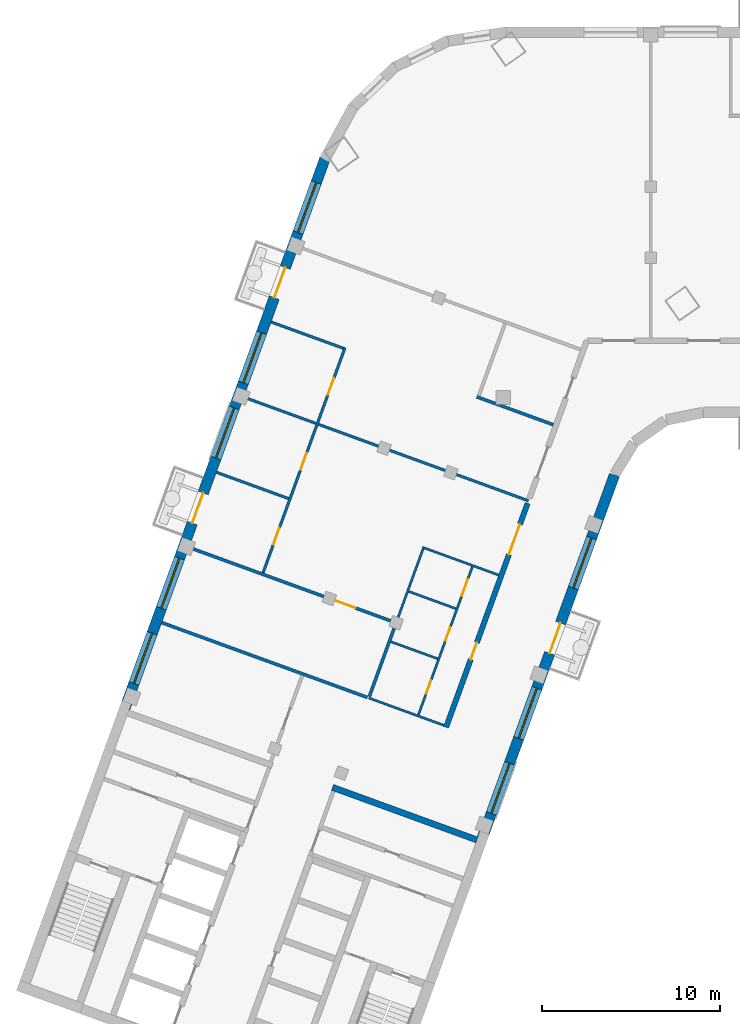
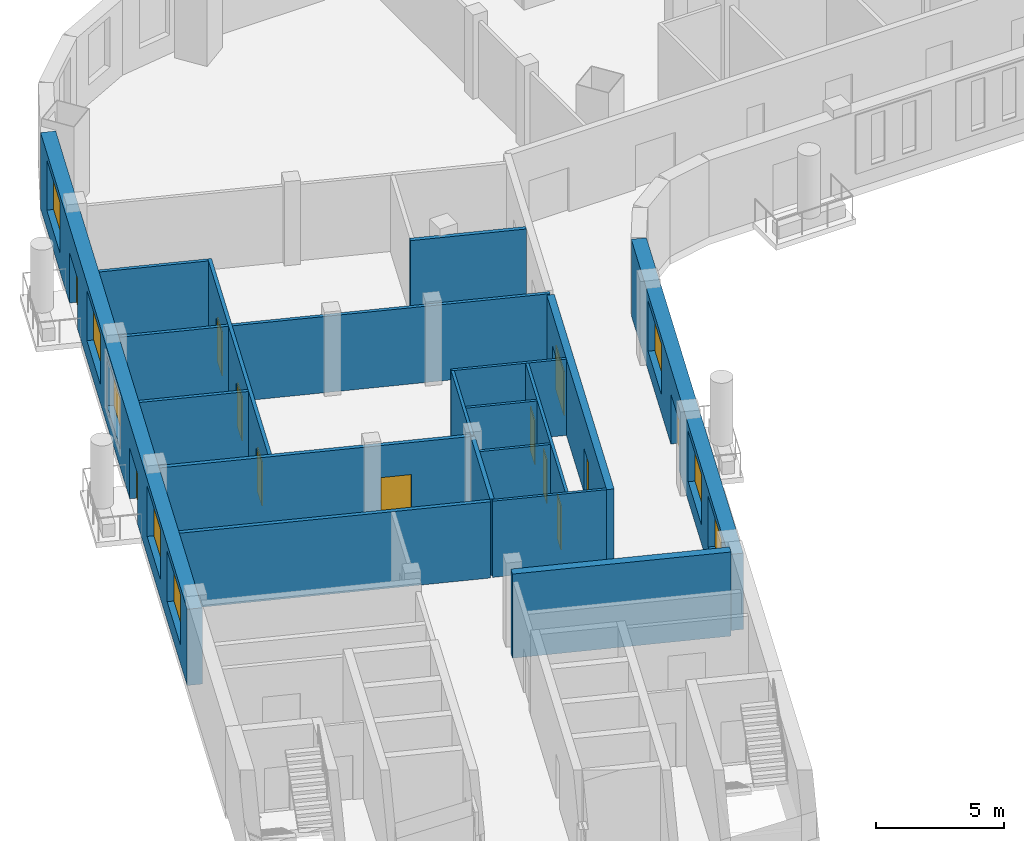
# One storey, part 3 of 10: 18 walls, 12 doors, 8 windows, 20 openings.
"""IFC4 building model written with IfcOpenShell, lengths in metres."""

from ifc_helpers import new_model, si_unit, direction, frame, frame_2d, origin, place, context, subcontext, project, spatial, rectangle, extrude, material, layer, layer_set, type_object, element, fill, save


model = new_model("IFC4")

# Units and contexts
model_context = context("Model", 3, precision=1e-05, world=origin(), true_north=direction((0.0, 1.0)))
body_context = subcontext(model_context, "Body", "Model", "MODEL_VIEW")
ifc_project = project(units=[si_unit("LENGTHUNIT", "METRE"), si_unit("AREAUNIT", "SQUARE_METRE"), si_unit("VOLUMEUNIT", "CUBIC_METRE"), si_unit("PLANEANGLEUNIT", "RADIAN"), si_unit("MASSUNIT", "GRAM", prefix="KILO")], contexts=[model_context])

# Site, building, storey
site_placement = place(None, origin())
site = spatial("IfcSite", under=ifc_project, at=site_placement, CompositionType="ELEMENT")
building_placement = place(site_placement, origin())
building = spatial("IfcBuilding", under=site, at=building_placement, Name="Skarvind Civic Tower", CompositionType="ELEMENT")
storey_placement = place(building_placement, frame((0.0, 0.0, 178.5)))
storey = spatial("IfcBuildingStorey", under=building, at=storey_placement, Name="L42", CompositionType="ELEMENT", Elevation=178.5)

# Walls
ifc_material_1 = material(Name="Acoustic gypsum board on steel studs", Category="steel")
ifc_layer_1 = layer(ifc_material_1, 0.175048828125)
ifc_layer_set_1 = layer_set([ifc_layer_1], Name="ACOUSTIC MEETING-ROOM PARTITION 175")
wall_type_1 = type_object("IfcWallType", Name="ACOUSTIC MEETING-ROOM PARTITION 175", PredefinedType="PARTITIONING", material=ifc_layer_set_1)
wall_1_placement = place(storey_placement, frame((26.736083984375, 105.47998046875, 0.0), z_axis=(0.0, 0.0, 1.0), x_axis=(0.939721611154, -0.341940482438, 0.0)))
element("IfcWall", 1, at=wall_1_placement, inside=storey, type_object=wall_type_1, Name="Partition 42.001", PredefinedType="PARTITIONING", context=body_context, shape_type="SweptSolid", body=[
    extrude(rectangle(XDim=12.31201171875, YDim=0.175048828125, at=frame_2d((6.156005859375, 0.0))), origin(), (0.0, 0.0, 1.0), 3.625),
])
wall_2_placement = place(storey_placement, frame((38.41796875, 101.322021484375, 0.0), z_axis=(0.0, 0.0, 1.0), x_axis=(0.341987815327, 0.939704386585, 0.0)))
element("IfcWall", 2, at=wall_2_placement, inside=storey, type_object=wall_type_1, Name="Partition 42.009", PredefinedType="PARTITIONING", context=body_context, shape_type="SweptSolid", body=[
    extrude(rectangle(XDim=4.32470703125, YDim=0.175048828125, at=frame_2d((2.162353515625, 0.0))), origin(), (0.0, 0.0, 1.0), 3.625),
])

# Wall, opening, door
wall_3_placement = place(storey_placement, frame((28.27490234375, 109.708984375, 0.0), z_axis=(0.0, 0.0, 1.0), x_axis=(0.939698441386, -0.342004150936, 0.0)))
wall_3 = element("IfcWall", 3, at=wall_3_placement, inside=storey, type_object=wall_type_1, Name="Partition 42.011", PredefinedType="PARTITIONING", context=body_context, shape_type="SweptSolid", body=[
    extrude(rectangle(XDim=12.3125, YDim=0.175048828125, at=frame_2d((6.15625, 0.0))), origin(), (0.0, 0.0, 1.0), 3.625),
])
opening_1_placement = place(wall_3_placement, frame((8.764892578125, 0.0, 0.0)))
opening_1 = element("IfcOpeningElement", 4, at=opening_1_placement, cuts=wall_3, Name="Opening L42-D024", PredefinedType="OPENING", context=body_context, shape_type="SweptSolid", body=[
    extrude(rectangle(XDim=1.199951171875, YDim=2.10009765625, at=frame_2d((0.60009765625, 1.050048828125))), frame((0.0, 0.097412109375, 0.0), z_axis=(0.0, -1.0, 0.0), x_axis=(1.0, 0.0, 0.0)), (0.0, 0.0, 1.0), 0.195068359375),
])
ifc_material_2 = material(Name="Timber door leaf", Category="wood")
door_type_1 = type_object("IfcDoorType", Name="DOOR 1200X2100 DOUBLE TIMBER", OperationType="NOTDEFINED", PredefinedType="DOOR", material=ifc_material_2)
door_1_placement = place(opening_1_placement, origin())
door_1 = element("IfcDoor", 5, at=door_1_placement, inside=storey, type_object=door_type_1, Name="Door L42-D024", OperationType="DOUBLE_DOOR_SINGLE_SWING", OverallHeight=2.10009765625, OverallWidth=1.199951171875, PredefinedType="DOOR", context=body_context, shape_type="SweptSolid", body=[
    extrude(rectangle(XDim=1.199951171875, YDim=2.10009765625, at=frame_2d((0.60009765625, 1.050048828125))), frame((0.0, 0.02490234375, 0.0), z_axis=(0.0, -1.0, 0.0), x_axis=(1.0, 0.0, 0.0)), (0.0, 0.0, 1.0), 0.050048828125),
])
fill(opening_1, door_1)

# Wall
wall_4_placement = place(storey_placement, frame((44.462890625, 118.18408203125, 0.0), z_axis=(0.0, 0.0, 1.0), x_axis=(0.939667480086, -0.342089208934, 0.0)))
element("IfcWall", 6, at=wall_4_placement, inside=storey, type_object=wall_type_1, Name="Partition 42.021", PredefinedType="PARTITIONING", context=body_context, shape_type="SweptSolid", body=[
    extrude(rectangle(XDim=4.586669921875, YDim=0.175048828125, at=frame_2d((2.29345703125, 0.0))), origin(), (0.0, 0.0, 1.0), 3.625),
])

# Wall, openings, doors
ifc_material_3 = material(Name="Fire-rated gypsum board on steel studs", Category="steel")
ifc_layer_2 = layer(ifc_material_3, 0.300048828125)
ifc_layer_set_2 = layer_set([ifc_layer_2], Name="CORRIDOR WALL 300")
wall_type_2 = type_object("IfcWallType", Name="CORRIDOR WALL 300", PredefinedType="PARTITIONING", material=ifc_layer_set_2)
wall_5_placement = place(storey_placement, frame((47.324951171875, 112.197021484375, 0.0), z_axis=(0.0, 0.0, 1.0), x_axis=(-0.341976837053, -0.93970838185, 0.0)))
wall_5 = element("IfcWall", 7, at=wall_5_placement, inside=storey, type_object=wall_type_2, Name="Partition 42.018", PredefinedType="PARTITIONING", context=body_context, shape_type="SweptSolid", body=[
    extrude(rectangle(XDim=13.415771484375, YDim=0.300048828125, at=frame_2d((6.7080078125, 0.0))), origin(), (0.0, 0.0, 1.0), 3.625),
])
opening_2_placement = place(wall_5_placement, frame((8.353515625, 0.0, 0.0)))
opening_2 = element("IfcOpeningElement", 8, at=opening_2_placement, cuts=wall_5, Name="Opening L42-D013", PredefinedType="OPENING", context=body_context, shape_type="SweptSolid", body=[
    extrude(rectangle(XDim=1.0, YDim=2.10009765625, at=frame_2d((0.5, 1.050048828125))), frame((0.0, 0.159912109375, 0.0), z_axis=(0.0, -1.0, 0.0), x_axis=(1.0, 0.0, 0.0)), (0.0, 0.0, 1.0), 0.320068359375),
])
opening_3_placement = place(wall_5_placement, frame((1.2666015625, 0.0, 0.0)))
opening_3 = element("IfcOpeningElement", 9, at=opening_3_placement, cuts=wall_5, Name="Opening L42-D019", PredefinedType="OPENING", context=body_context, shape_type="SweptSolid", body=[
    extrude(rectangle(XDim=1.800048828125, YDim=2.10009765625, at=frame_2d((0.89990234375, 1.050048828125))), frame((0.0, 0.159912109375, 0.0), z_axis=(0.0, -1.0, 0.0), x_axis=(1.0, 0.0, 0.0)), (0.0, 0.0, 1.0), 0.320068359375),
])
ifc_material_4 = material(Name="Fire-rated timber door leaf", Category="wood")
door_type_2 = type_object("IfcDoorType", Name="FD1 1000x2100", OperationType="NOTDEFINED", PredefinedType="DOOR", material=ifc_material_4)
door_2_placement = place(opening_2_placement, origin())
door_2 = element("IfcDoor", 10, at=door_2_placement, inside=storey, type_object=door_type_2, Name="Door L42-D013", OperationType="SINGLE_SWING_LEFT", OverallHeight=2.10009765625, OverallWidth=1.0, PredefinedType="DOOR", context=body_context, shape_type="SweptSolid", body=[
    extrude(rectangle(XDim=1.0, YDim=2.10009765625, at=frame_2d((0.5, 1.050048828125))), frame((0.0, 0.02490234375, 0.0), z_axis=(0.0, -1.0, 0.0), x_axis=(1.0, 0.0, 0.0)), (0.0, 0.0, 1.0), 0.050048828125),
])
fill(opening_2, door_2)
door_type_3 = type_object("IfcDoorType", Name="FD4 1800x2100", OperationType="NOTDEFINED", PredefinedType="DOOR", material=ifc_material_4)
door_3_placement = place(opening_3_placement, origin())
door_3 = element("IfcDoor", 11, at=door_3_placement, inside=storey, type_object=door_type_3, Name="Door L42-D019", OperationType="DOUBLE_DOOR_SINGLE_SWING", OverallHeight=2.10009765625, OverallWidth=1.800048828125, PredefinedType="DOOR", context=body_context, shape_type="SweptSolid", body=[
    extrude(rectangle(XDim=1.800048828125, YDim=2.10009765625, at=frame_2d((0.89990234375, 1.050048828125))), frame((0.0, 0.02490234375, 0.0), z_axis=(0.0, -1.0, 0.0), x_axis=(1.0, 0.0, 0.0)), (0.0, 0.0, 1.0), 0.050048828125),
])
fill(opening_3, door_3)

# Walls
ifc_material_5 = material(Name="Concrete C60", Category="concrete")
ifc_layer_3 = layer(ifc_material_5, 0.35009765625)
ifc_layer_set_3 = layer_set([ifc_layer_3], Name="Core wall 350 C60")
wall_type_3 = type_object("IfcWallType", Name="Core wall 350 C60", PredefinedType="SHEAR", material=ifc_layer_set_3)
wall_6_placement = place(storey_placement, frame((44.473388671875, 93.25146484375, 0.0), z_axis=(0.0, 0.0, 1.0), x_axis=(-0.939692847377, 0.34201952077, 0.0)))
element("IfcWall", 12, at=wall_6_placement, inside=storey, type_object=wall_type_3, Name="Core wall C2 south inner face L42", PredefinedType="SHEAR", context=body_context, shape_type="SweptSolid", body=[
    extrude(rectangle(XDim=8.650146484375, YDim=0.35009765625, at=frame_2d((4.3251953125, 0.0))), origin(), (0.0, 0.0, 1.0), 4.0),
])
ifc_material_6 = material(Name="Plasterboard partition on steel studs", Category="steel")
ifc_layer_4 = layer(ifc_material_6, 0.14990234375)
ifc_layer_set_4 = layer_set([ifc_layer_4], Name="PARTITION 150")
wall_type_4 = type_object("IfcWallType", Name="PARTITION 150", PredefinedType="PARTITIONING", material=ifc_layer_set_4)
wall_7_placement = place(storey_placement, frame((29.81396484375, 113.93798828125, 0.0), z_axis=(0.0, 0.0, 1.0), x_axis=(0.93973078783, -0.341915262023, 0.0)))
element("IfcWall", 13, at=wall_7_placement, inside=storey, type_object=wall_type_4, Name="Partition 42.002", PredefinedType="PARTITIONING", context=body_context, shape_type="SweptSolid", body=[
    extrude(rectangle(XDim=4.32568359375, YDim=0.14990234375, at=frame_2d((2.162841796875, 0.0))), origin(), (0.0, 0.0, 1.0), 3.625),
])
wall_8_placement = place(storey_placement, frame((31.35302734375, 118.166015625, 0.0), z_axis=(0.0, 0.0, 1.0), x_axis=(0.939701413127, -0.341995985602, 0.0)))
element("IfcWall", 14, at=wall_8_placement, inside=storey, type_object=wall_type_4, Name="Partition 42.003", PredefinedType="PARTITIONING", context=body_context, shape_type="SweptSolid", body=[
    extrude(rectangle(XDim=17.050048828125, YDim=0.14990234375, at=frame_2d((8.52490234375, 0.0))), origin(), (0.0, 0.0, 1.0), 3.625),
])

# Wall, openings, doors
wall_9_placement = place(storey_placement, frame((37.052978515625, 120.9599609375, 0.0), z_axis=(0.0, 0.0, 1.0), x_axis=(-0.342023551531, -0.939691380293, 0.0)))
wall_9 = element("IfcWall", 15, at=wall_9_placement, inside=storey, type_object=wall_type_4, Name="Partition 42.004", PredefinedType="PARTITIONING", context=body_context, shape_type="SweptSolid", body=[
    extrude(rectangle(XDim=13.487548828125, YDim=0.14990234375, at=frame_2d((6.74365234375, 0.0))), origin(), (0.0, 0.0, 1.0), 3.625),
])
opening_4_placement = place(wall_9_placement, frame((10.791015625, 0.0, 0.0)))
opening_4 = element("IfcOpeningElement", 16, at=opening_4_placement, cuts=wall_9, Name="Opening L42-D017", PredefinedType="OPENING", context=body_context, shape_type="SweptSolid", body=[
    extrude(rectangle(XDim=1.0, YDim=2.10009765625, at=frame_2d((0.5, 1.050048828125))), frame((0.0, 0.0849609375, 0.0), z_axis=(0.0, -1.0, 0.0), x_axis=(1.0, 0.0, 0.0)), (0.0, 0.0, 1.0), 0.169921875),
])
opening_5_placement = place(wall_9_placement, frame((6.32421875, 0.0, 0.0)))
opening_5 = element("IfcOpeningElement", 17, at=opening_5_placement, cuts=wall_9, Name="Opening L42-D018", PredefinedType="OPENING", context=body_context, shape_type="SweptSolid", body=[
    extrude(rectangle(XDim=1.0, YDim=2.10009765625, at=frame_2d((0.5, 1.050048828125))), frame((0.0, 0.0849609375, 0.0), z_axis=(0.0, -1.0, 0.0), x_axis=(1.0, 0.0, 0.0)), (0.0, 0.0, 1.0), 0.169921875),
])
opening_6_placement = place(wall_9_placement, frame((1.82421875, 0.0, 0.0)))
opening_6 = element("IfcOpeningElement", 18, at=opening_6_placement, cuts=wall_9, Name="Opening L42-D021", PredefinedType="OPENING", context=body_context, shape_type="SweptSolid", body=[
    extrude(rectangle(XDim=1.0, YDim=2.10009765625, at=frame_2d((0.5, 1.050048828125))), frame((0.0, 0.0849609375, 0.0), z_axis=(0.0, -1.0, 0.0), x_axis=(1.0, 0.0, 0.0)), (0.0, 0.0, 1.0), 0.169921875),
])
door_type_4 = type_object("IfcDoorType", Name="D1 1000x2100", OperationType="NOTDEFINED", PredefinedType="DOOR", material=ifc_material_2)
door_4_placement = place(opening_4_placement, origin())
door_4 = element("IfcDoor", 19, at=door_4_placement, inside=storey, type_object=door_type_4, Name="Door L42-D017", OperationType="SINGLE_SWING_LEFT", OverallHeight=2.10009765625, OverallWidth=1.0, PredefinedType="DOOR", context=body_context, shape_type="SweptSolid", body=[
    extrude(rectangle(XDim=1.0, YDim=2.10009765625, at=frame_2d((0.5, 1.050048828125))), frame((0.0, 0.02490234375, 0.0), z_axis=(0.0, -1.0, 0.0), x_axis=(1.0, 0.0, 0.0)), (0.0, 0.0, 1.0), 0.050048828125),
])
fill(opening_4, door_4)
door_5_placement = place(opening_5_placement, origin())
door_5 = element("IfcDoor", 20, at=door_5_placement, inside=storey, type_object=door_type_4, Name="Door L42-D018", OperationType="SINGLE_SWING_RIGHT", OverallHeight=2.10009765625, OverallWidth=1.0, PredefinedType="DOOR", context=body_context, shape_type="SweptSolid", body=[
    extrude(rectangle(XDim=1.0, YDim=2.10009765625, at=frame_2d((0.5, 1.050048828125))), frame((0.0, 0.02490234375, 0.0), z_axis=(0.0, -1.0, 0.0), x_axis=(1.0, 0.0, 0.0)), (0.0, 0.0, 1.0), 0.050048828125),
])
fill(opening_5, door_5)
door_6_placement = place(opening_6_placement, origin())
door_6 = element("IfcDoor", 21, at=door_6_placement, inside=storey, type_object=door_type_4, Name="Door L42-D021", OperationType="SINGLE_SWING_LEFT", OverallHeight=2.10009765625, OverallWidth=1.0, PredefinedType="DOOR", context=body_context, shape_type="SweptSolid", body=[
    extrude(rectangle(XDim=1.0, YDim=2.10009765625, at=frame_2d((0.5, 1.050048828125))), frame((0.0, 0.02490234375, 0.0), z_axis=(0.0, -1.0, 0.0), x_axis=(1.0, 0.0, 0.0)), (0.0, 0.0, 1.0), 0.050048828125),
])
fill(opening_6, door_6)

# Walls
wall_10_placement = place(storey_placement, frame((32.89208984375, 122.39501953125, 0.0), z_axis=(0.0, 0.0, 1.0), x_axis=(0.93973078783, -0.341915262023, 0.0)))
element("IfcWall", 22, at=wall_10_placement, inside=storey, type_object=wall_type_4, Name="Partition 42.005", PredefinedType="PARTITIONING", context=body_context, shape_type="SweptSolid", body=[
    extrude(rectangle(XDim=4.32568359375, YDim=0.14990234375, at=frame_2d((2.162841796875, 0.0))), origin(), (0.0, 0.0, 1.0), 3.625),
])
ifc_material_7 = material(Name="Moisture-resistant gypsum board on steel studs", Category="steel")
ifc_layer_5 = layer(ifc_material_7, 0.125)
ifc_layer_set_5 = layer_set([ifc_layer_5], Name="WC PARTITION 125")
wall_type_5 = type_object("IfcWallType", Name="WC PARTITION 125", PredefinedType="PARTITIONING", material=ifc_layer_set_5)
wall_11_placement = place(storey_placement, frame((38.385009765625, 101.239990234375, 0.0), z_axis=(0.0, 0.0, 1.0), x_axis=(0.939711088937, -0.341969398235, 0.0)))
element("IfcWall", 23, at=wall_11_placement, inside=storey, type_object=wall_type_5, Name="Partition 42.007", PredefinedType="PARTITIONING", context=body_context, shape_type="SweptSolid", body=[
    extrude(rectangle(XDim=4.50341796875, YDim=0.125, at=frame_2d((2.251708984375, 0.0))), origin(), (0.0, 0.0, 1.0), 3.625),
])
wall_12_placement = place(storey_placement, frame((39.926025390625, 105.465087890625, 0.0), z_axis=(0.0, 0.0, 1.0), x_axis=(0.342263852659, 0.93960388205, 0.0)))
element("IfcWall", 24, at=wall_12_placement, inside=storey, type_object=wall_type_5, Name="Partition 42.010", PredefinedType="PARTITIONING", context=body_context, shape_type="SweptSolid", body=[
    extrude(rectangle(XDim=4.441162109375, YDim=0.125, at=frame_2d((2.220703125, 0.0))), origin(), (0.0, 0.0, 1.0), 3.625),
])

# Wall, openings, doors
wall_13_placement = place(storey_placement, frame((41.180908203125, 100.2900390625, 0.0), z_axis=(0.0, 0.0, 1.0), x_axis=(0.34222012082, 0.939619810831, 0.0)))
wall_13 = element("IfcWall", 25, at=wall_13_placement, inside=storey, type_object=wall_type_5, Name="Partition 42.014", PredefinedType="PARTITIONING", context=body_context, shape_type="SweptSolid", body=[
    extrude(rectangle(XDim=8.874755859375, YDim=0.125, at=frame_2d((4.4375, 0.0))), origin(), (0.0, 0.0, 1.0), 3.625),
])
opening_7_placement = place(wall_13_placement, frame((1.25830078125, 0.0, 0.0)))
opening_7 = element("IfcOpeningElement", 26, at=opening_7_placement, cuts=wall_13, Name="Opening L42-D014", PredefinedType="OPENING", context=body_context, shape_type="SweptSolid", body=[
    extrude(rectangle(XDim=0.800048828125, YDim=2.10009765625, at=frame_2d((0.39990234375, 1.050048828125))), frame((0.0, 0.072509765625, 0.0), z_axis=(0.0, -1.0, 0.0), x_axis=(1.0, 0.0, 0.0)), (0.0, 0.0, 1.0), 0.14501953125),
])
opening_8_placement = place(wall_13_placement, frame((4.43701171875, 0.0, 0.0)))
opening_8 = element("IfcOpeningElement", 27, at=opening_8_placement, cuts=wall_13, Name="Opening L42-D015", PredefinedType="OPENING", context=body_context, shape_type="SweptSolid", body=[
    extrude(rectangle(XDim=0.800048828125, YDim=2.10009765625, at=frame_2d((0.39990234375, 1.050048828125))), frame((0.0, 0.072509765625, 0.0), z_axis=(0.0, -1.0, 0.0), x_axis=(1.0, 0.0, 0.0)), (0.0, 0.0, 1.0), 0.14501953125),
])
opening_9_placement = place(wall_13_placement, frame((7.1162109375, 0.0, 0.0)))
opening_9 = element("IfcOpeningElement", 28, at=opening_9_placement, cuts=wall_13, Name="Opening L42-D016", PredefinedType="OPENING", context=body_context, shape_type="SweptSolid", body=[
    extrude(rectangle(XDim=1.0, YDim=2.10009765625, at=frame_2d((0.5, 1.050048828125))), frame((0.0, 0.072509765625, 0.0), z_axis=(0.0, -1.0, 0.0), x_axis=(1.0, 0.0, 0.0)), (0.0, 0.0, 1.0), 0.14501953125),
])
door_7_placement = place(opening_9_placement, origin())
door_7 = element("IfcDoor", 29, at=door_7_placement, inside=storey, type_object=door_type_4, Name="Door L42-D016", OperationType="SINGLE_SWING_LEFT", OverallHeight=2.10009765625, OverallWidth=1.0, PredefinedType="DOOR", context=body_context, shape_type="SweptSolid", body=[
    extrude(rectangle(XDim=1.0, YDim=2.10009765625, at=frame_2d((0.5, 1.050048828125))), frame((0.0, 0.02490234375, 0.0), z_axis=(0.0, -1.0, 0.0), x_axis=(1.0, 0.0, 0.0)), (0.0, 0.0, 1.0), 0.050048828125),
])
fill(opening_9, door_7)
door_type_5 = type_object("IfcDoorType", Name="DOOR 800X2100 TIMBER", OperationType="NOTDEFINED", PredefinedType="DOOR", material=ifc_material_2)
door_8_placement = place(opening_7_placement, origin())
door_8 = element("IfcDoor", 30, at=door_8_placement, inside=storey, type_object=door_type_5, Name="Door L42-D014", OperationType="SINGLE_SWING_LEFT", OverallHeight=2.10009765625, OverallWidth=0.800048828125, PredefinedType="DOOR", context=body_context, shape_type="SweptSolid", body=[
    extrude(rectangle(XDim=0.800048828125, YDim=2.10009765625, at=frame_2d((0.39990234375, 1.050048828125))), frame((0.0, 0.02490234375, 0.0), z_axis=(0.0, -1.0, 0.0), x_axis=(1.0, 0.0, 0.0)), (0.0, 0.0, 1.0), 0.050048828125),
])
fill(opening_7, door_8)
door_9_placement = place(opening_8_placement, origin())
door_9 = element("IfcDoor", 31, at=door_9_placement, inside=storey, type_object=door_type_5, Name="Door L42-D015", OperationType="SINGLE_SWING_LEFT", OverallHeight=2.10009765625, OverallWidth=0.800048828125, PredefinedType="DOOR", context=body_context, shape_type="SweptSolid", body=[
    extrude(rectangle(XDim=0.800048828125, YDim=2.10009765625, at=frame_2d((0.39990234375, 1.050048828125))), frame((0.0, 0.02490234375, 0.0), z_axis=(0.0, -1.0, 0.0), x_axis=(1.0, 0.0, 0.0)), (0.0, 0.0, 1.0), 0.050048828125),
])
fill(opening_8, door_9)

# Walls
wall_14_placement = place(storey_placement, frame((41.407958984375, 109.718017578125, 0.0), z_axis=(0.0, 0.0, 1.0), x_axis=(0.939646475447, -0.3421469, 0.0)))
element("IfcWall", 32, at=wall_14_placement, inside=storey, type_object=wall_type_5, Name="Partition 42.015", PredefinedType="PARTITIONING", context=body_context, shape_type="SweptSolid", body=[
    extrude(rectangle(XDim=4.5625, YDim=0.125, at=frame_2d((2.28125, 0.0))), origin(), (0.0, 0.0, 1.0), 3.625),
])
wall_15_placement = place(storey_placement, frame((42.263916015625, 103.446044921875, 0.0), z_axis=(0.0, 0.0, 1.0), x_axis=(-0.939640574808, 0.342163104635, 0.0)))
element("IfcWall", 33, at=wall_15_placement, inside=storey, type_object=wall_type_5, Name="Partition 42.016", PredefinedType="PARTITIONING", context=body_context, shape_type="SweptSolid", body=[
    extrude(rectangle(XDim=2.7998046875, YDim=0.125, at=frame_2d((1.39990234375, 0.0))), origin(), (0.0, 0.0, 1.0), 3.625),
])
wall_16_placement = place(storey_placement, frame((43.2900390625, 106.26611328125, 0.0), z_axis=(0.0, 0.0, 1.0), x_axis=(-0.939601484935, 0.342270433294, 0.0)))
element("IfcWall", 34, at=wall_16_placement, inside=storey, type_object=wall_type_5, Name="Partition 42.019", PredefinedType="PARTITIONING", context=body_context, shape_type="SweptSolid", body=[
    extrude(rectangle(XDim=2.82470703125, YDim=0.125, at=frame_2d((1.412353515625, 0.0))), origin(), (0.0, 0.0, 1.0), 3.625),
])

# Wall, openings, door, windows
ifc_material_8 = material(Name="Limestone masonry cladding on insulated backing", Category="masonry")
ifc_layer_6 = layer(ifc_material_8, 0.60009765625)
ifc_layer_set_6 = layer_set([ifc_layer_6], Name="WX1 STONE FACADE WALL 600")
wall_type_6 = type_object("IfcWallType", Name="WX1 STONE FACADE WALL 600", PredefinedType="SOLIDWALL", material=ifc_layer_set_6)
wall_17_placement = place(storey_placement, frame((52.212158203125, 113.78271484375, 0.0), z_axis=(0.0, 0.0, 1.0), x_axis=(-0.34202521188, -0.939690775968, 0.0)))
wall_17 = element("IfcWall", 35, at=wall_17_placement, inside=storey, type_object=wall_type_6, Name="STONE FACADE WALL", PredefinedType="SOLIDWALL", context=body_context, shape_type="SweptSolid", body=[
    extrude(rectangle(XDim=21.744873046875, YDim=0.60009765625, at=frame_2d((10.87255859375, 0.0))), origin(), (0.0, 0.0, 1.0), 3.625),
])
opening_10_placement = place(wall_17_placement, frame((3.764892578125, 0.0, 0.89990234375)))
opening_10 = element("IfcOpeningElement", 36, at=opening_10_placement, cuts=wall_17, Name="Opening WN1", PredefinedType="OPENING", context=body_context, shape_type="SweptSolid", body=[
    extrude(rectangle(XDim=3.0, YDim=2.39990234375, at=frame_2d((1.5, 1.199951171875))), frame((0.0, 0.31005859375, 0.0), z_axis=(0.0, -1.0, 0.0), x_axis=(1.0, 0.0, 0.0)), (0.0, 0.0, 1.0), 0.6201171875),
])
opening_11_placement = place(wall_17_placement, frame((8.864990234375, 0.0, 0.0)))
opening_11 = element("IfcOpeningElement", 37, at=opening_11_placement, cuts=wall_17, Name="Opening DX3", PredefinedType="OPENING", context=body_context, shape_type="SweptSolid", body=[
    extrude(rectangle(XDim=1.800048828125, YDim=2.39990234375, at=frame_2d((0.89990234375, 1.199951171875))), frame((0.0, 0.31005859375, 0.0), z_axis=(0.0, -1.0, 0.0), x_axis=(1.0, 0.0, 0.0)), (0.0, 0.0, 1.0), 0.6201171875),
])
opening_12_placement = place(wall_17_placement, frame((12.764892578125, 0.0, 0.89990234375)))
opening_12 = element("IfcOpeningElement", 38, at=opening_12_placement, cuts=wall_17, Name="Opening WN1", PredefinedType="OPENING", context=body_context, shape_type="SweptSolid", body=[
    extrude(rectangle(XDim=3.0, YDim=2.39990234375, at=frame_2d((1.5, 1.199951171875))), frame((0.0, 0.31005859375, 0.0), z_axis=(0.0, -1.0, 0.0), x_axis=(1.0, 0.0, 0.0)), (0.0, 0.0, 1.0), 0.6201171875),
])
opening_13_placement = place(wall_17_placement, frame((17.264892578125, 0.0, 0.89990234375)))
opening_13 = element("IfcOpeningElement", 39, at=opening_13_placement, cuts=wall_17, Name="Opening WN1", PredefinedType="OPENING", context=body_context, shape_type="SweptSolid", body=[
    extrude(rectangle(XDim=3.0, YDim=2.39990234375, at=frame_2d((1.5, 1.199951171875))), frame((0.0, 0.31005859375, 0.0), z_axis=(0.0, -1.0, 0.0), x_axis=(1.0, 0.0, 0.0)), (0.0, 0.0, 1.0), 0.6201171875),
])
ifc_material_9 = material(Name="Timber and glass doorset", Category="wood")
door_type_6 = type_object("IfcDoorType", Name="DX3 TERRACE DOORS 1800 x 2400", OperationType="NOTDEFINED", PredefinedType="DOOR", material=ifc_material_9)
door_10_placement = place(opening_11_placement, origin())
door_10 = element("IfcDoor", 40, at=door_10_placement, inside=storey, type_object=door_type_6, Name="TERRACE DOORS", OperationType="DOUBLE_DOOR_SINGLE_SWING", OverallHeight=2.39990234375, OverallWidth=1.800048828125, PredefinedType="DOOR", context=body_context, shape_type="SweptSolid", body=[
    extrude(rectangle(XDim=1.800048828125, YDim=2.39990234375, at=frame_2d((0.89990234375, 1.199951171875))), frame((0.0, 0.02490234375, 0.0), z_axis=(0.0, -1.0, 0.0), x_axis=(1.0, 0.0, 0.0)), (0.0, 0.0, 1.0), 0.050048828125),
])
fill(opening_11, door_10)
ifc_material_10 = material(Name="Timber frame, double glazing, timber-lined reveal", Category="wood")
window_type = type_object("IfcWindowType", Name="WN1 PUNCHED STONE WINDOW 3000 x 2400", PartitioningType="SINGLE_PANEL", PredefinedType="WINDOW", material=ifc_material_10)
window_1_placement = place(opening_10_placement, origin())
window_1 = element("IfcWindow", 41, at=window_1_placement, inside=storey, type_object=window_type, Name="WN1 WINDOW", OverallHeight=2.39990234375, OverallWidth=3.0, PartitioningType="SINGLE_PANEL", PredefinedType="WINDOW", context=body_context, shape_type="SweptSolid", body=[
    extrude(rectangle(XDim=3.0, YDim=2.39990234375, at=frame_2d((1.5, 1.199951171875))), frame((0.0, 0.030029296875, 0.0), z_axis=(0.0, -1.0, 0.0), x_axis=(1.0, 0.0, 0.0)), (0.0, 0.0, 1.0), 0.06005859375),
])
fill(opening_10, window_1)
window_2_placement = place(opening_12_placement, origin())
window_2 = element("IfcWindow", 42, at=window_2_placement, inside=storey, type_object=window_type, Name="WN1 WINDOW", OverallHeight=2.39990234375, OverallWidth=3.0, PartitioningType="SINGLE_PANEL", PredefinedType="WINDOW", context=body_context, shape_type="SweptSolid", body=[
    extrude(rectangle(XDim=3.0, YDim=2.39990234375, at=frame_2d((1.5, 1.199951171875))), frame((0.0, 0.030029296875, 0.0), z_axis=(0.0, -1.0, 0.0), x_axis=(1.0, 0.0, 0.0)), (0.0, 0.0, 1.0), 0.06005859375),
])
fill(opening_12, window_2)
window_3_placement = place(opening_13_placement, origin())
window_3 = element("IfcWindow", 43, at=window_3_placement, inside=storey, type_object=window_type, Name="WN1 WINDOW", OverallHeight=2.39990234375, OverallWidth=3.0, PartitioningType="SINGLE_PANEL", PredefinedType="WINDOW", context=body_context, shape_type="SweptSolid", body=[
    extrude(rectangle(XDim=3.0, YDim=2.39990234375, at=frame_2d((1.5, 1.199951171875))), frame((0.0, 0.030029296875, 0.0), z_axis=(0.0, -1.0, 0.0), x_axis=(1.0, 0.0, 0.0)), (0.0, 0.0, 1.0), 0.06005859375),
])
fill(opening_13, window_3)

# Wall, openings, doors, windows
wall_18_placement = place(storey_placement, frame((24.66552734375, 100.668701171875, 0.0), z_axis=(0.0, 0.0, 1.0), x_axis=(0.34201964167, 0.939692803373, 0.0)))
wall_18 = element("IfcWall", 44, at=wall_18_placement, inside=storey, type_object=wall_type_6, Name="STONE FACADE WALL", PredefinedType="SOLIDWALL", context=body_context, shape_type="SweptSolid", body=[
    extrude(rectangle(XDim=32.88427734375, YDim=0.60009765625, at=frame_2d((16.442138671875, 0.0))), origin(), (0.0, 0.0, 1.0), 3.625),
])
opening_14_placement = place(wall_18_placement, frame((1.47998046875, 0.0, 0.89990234375)))
opening_14 = element("IfcOpeningElement", 45, at=opening_14_placement, cuts=wall_18, Name="Opening WN1", PredefinedType="OPENING", context=body_context, shape_type="SweptSolid", body=[
    extrude(rectangle(XDim=3.0, YDim=2.39990234375, at=frame_2d((1.5, 1.199951171875))), frame((0.0, 0.31005859375, 0.0), z_axis=(0.0, -1.0, 0.0), x_axis=(1.0, 0.0, 0.0)), (0.0, 0.0, 1.0), 0.6201171875),
])
opening_15_placement = place(wall_18_placement, frame((5.97998046875, 0.0, 0.89990234375)))
opening_15 = element("IfcOpeningElement", 46, at=opening_15_placement, cuts=wall_18, Name="Opening WN1", PredefinedType="OPENING", context=body_context, shape_type="SweptSolid", body=[
    extrude(rectangle(XDim=3.0, YDim=2.39990234375, at=frame_2d((1.5, 1.199951171875))), frame((0.0, 0.31005859375, 0.0), z_axis=(0.0, -1.0, 0.0), x_axis=(1.0, 0.0, 0.0)), (0.0, 0.0, 1.0), 0.6201171875),
])
opening_16_placement = place(wall_18_placement, frame((11.080078125, 0.0, 0.0)))
opening_16 = element("IfcOpeningElement", 47, at=opening_16_placement, cuts=wall_18, Name="Opening DX3", PredefinedType="OPENING", context=body_context, shape_type="SweptSolid", body=[
    extrude(rectangle(XDim=1.800048828125, YDim=2.39990234375, at=frame_2d((0.89990234375, 1.199951171875))), frame((0.0, 0.31005859375, 0.0), z_axis=(0.0, -1.0, 0.0), x_axis=(1.0, 0.0, 0.0)), (0.0, 0.0, 1.0), 0.6201171875),
])
opening_17_placement = place(wall_18_placement, frame((14.97998046875, 0.0, 0.89990234375)))
opening_17 = element("IfcOpeningElement", 48, at=opening_17_placement, cuts=wall_18, Name="Opening WN1", PredefinedType="OPENING", context=body_context, shape_type="SweptSolid", body=[
    extrude(rectangle(XDim=3.0, YDim=2.39990234375, at=frame_2d((1.5, 1.199951171875))), frame((0.0, 0.31005859375, 0.0), z_axis=(0.0, -1.0, 0.0), x_axis=(1.0, 0.0, 0.0)), (0.0, 0.0, 1.0), 0.6201171875),
])
opening_18_placement = place(wall_18_placement, frame((19.47998046875, 0.0, 0.89990234375)))
opening_18 = element("IfcOpeningElement", 49, at=opening_18_placement, cuts=wall_18, Name="Opening WN1", PredefinedType="OPENING", context=body_context, shape_type="SweptSolid", body=[
    extrude(rectangle(XDim=3.0, YDim=2.39990234375, at=frame_2d((1.5, 1.199951171875))), frame((0.0, 0.31005859375, 0.0), z_axis=(0.0, -1.0, 0.0), x_axis=(1.0, 0.0, 0.0)), (0.0, 0.0, 1.0), 0.6201171875),
])
opening_19_placement = place(wall_18_placement, frame((24.580078125, 0.0, 0.0)))
opening_19 = element("IfcOpeningElement", 50, at=opening_19_placement, cuts=wall_18, Name="Opening DX3", PredefinedType="OPENING", context=body_context, shape_type="SweptSolid", body=[
    extrude(rectangle(XDim=1.800048828125, YDim=2.39990234375, at=frame_2d((0.89990234375, 1.199951171875))), frame((0.0, 0.31005859375, 0.0), z_axis=(0.0, -1.0, 0.0), x_axis=(1.0, 0.0, 0.0)), (0.0, 0.0, 1.0), 0.6201171875),
])
opening_20_placement = place(wall_18_placement, frame((28.47998046875, 0.0, 0.89990234375)))
opening_20 = element("IfcOpeningElement", 51, at=opening_20_placement, cuts=wall_18, Name="Opening WN1", PredefinedType="OPENING", context=body_context, shape_type="SweptSolid", body=[
    extrude(rectangle(XDim=3.0, YDim=2.39990234375, at=frame_2d((1.5, 1.199951171875))), frame((0.0, 0.31005859375, 0.0), z_axis=(0.0, -1.0, 0.0), x_axis=(1.0, 0.0, 0.0)), (0.0, 0.0, 1.0), 0.6201171875),
])
door_11_placement = place(opening_16_placement, origin())
door_11 = element("IfcDoor", 52, at=door_11_placement, inside=storey, type_object=door_type_6, Name="TERRACE DOORS", OperationType="DOUBLE_DOOR_SINGLE_SWING", OverallHeight=2.39990234375, OverallWidth=1.800048828125, PredefinedType="DOOR", context=body_context, shape_type="SweptSolid", body=[
    extrude(rectangle(XDim=1.800048828125, YDim=2.39990234375, at=frame_2d((0.89990234375, 1.199951171875))), frame((0.0, 0.02490234375, 0.0), z_axis=(0.0, -1.0, 0.0), x_axis=(1.0, 0.0, 0.0)), (0.0, 0.0, 1.0), 0.050048828125),
])
fill(opening_16, door_11)
door_12_placement = place(opening_19_placement, origin())
door_12 = element("IfcDoor", 53, at=door_12_placement, inside=storey, type_object=door_type_6, Name="TERRACE DOORS", OperationType="DOUBLE_DOOR_SINGLE_SWING", OverallHeight=2.39990234375, OverallWidth=1.800048828125, PredefinedType="DOOR", context=body_context, shape_type="SweptSolid", body=[
    extrude(rectangle(XDim=1.800048828125, YDim=2.39990234375, at=frame_2d((0.89990234375, 1.199951171875))), frame((0.0, 0.02490234375, 0.0), z_axis=(0.0, -1.0, 0.0), x_axis=(1.0, 0.0, 0.0)), (0.0, 0.0, 1.0), 0.050048828125),
])
fill(opening_19, door_12)
window_4_placement = place(opening_14_placement, origin())
window_4 = element("IfcWindow", 54, at=window_4_placement, inside=storey, type_object=window_type, Name="WN1 WINDOW", OverallHeight=2.39990234375, OverallWidth=3.0, PartitioningType="SINGLE_PANEL", PredefinedType="WINDOW", context=body_context, shape_type="SweptSolid", body=[
    extrude(rectangle(XDim=3.0, YDim=2.39990234375, at=frame_2d((1.5, 1.199951171875))), frame((0.0, 0.030029296875, 0.0), z_axis=(0.0, -1.0, 0.0), x_axis=(1.0, 0.0, 0.0)), (0.0, 0.0, 1.0), 0.06005859375),
])
fill(opening_14, window_4)
window_5_placement = place(opening_15_placement, origin())
window_5 = element("IfcWindow", 55, at=window_5_placement, inside=storey, type_object=window_type, Name="WN1 WINDOW", OverallHeight=2.39990234375, OverallWidth=3.0, PartitioningType="SINGLE_PANEL", PredefinedType="WINDOW", context=body_context, shape_type="SweptSolid", body=[
    extrude(rectangle(XDim=3.0, YDim=2.39990234375, at=frame_2d((1.5, 1.199951171875))), frame((0.0, 0.030029296875, 0.0), z_axis=(0.0, -1.0, 0.0), x_axis=(1.0, 0.0, 0.0)), (0.0, 0.0, 1.0), 0.06005859375),
])
fill(opening_15, window_5)
window_6_placement = place(opening_17_placement, origin())
window_6 = element("IfcWindow", 56, at=window_6_placement, inside=storey, type_object=window_type, Name="WN1 WINDOW", OverallHeight=2.39990234375, OverallWidth=3.0, PartitioningType="SINGLE_PANEL", PredefinedType="WINDOW", context=body_context, shape_type="SweptSolid", body=[
    extrude(rectangle(XDim=3.0, YDim=2.39990234375, at=frame_2d((1.5, 1.199951171875))), frame((0.0, 0.030029296875, 0.0), z_axis=(0.0, -1.0, 0.0), x_axis=(1.0, 0.0, 0.0)), (0.0, 0.0, 1.0), 0.06005859375),
])
fill(opening_17, window_6)
window_7_placement = place(opening_18_placement, origin())
window_7 = element("IfcWindow", 57, at=window_7_placement, inside=storey, type_object=window_type, Name="WN1 WINDOW", OverallHeight=2.39990234375, OverallWidth=3.0, PartitioningType="SINGLE_PANEL", PredefinedType="WINDOW", context=body_context, shape_type="SweptSolid", body=[
    extrude(rectangle(XDim=3.0, YDim=2.39990234375, at=frame_2d((1.5, 1.199951171875))), frame((0.0, 0.030029296875, 0.0), z_axis=(0.0, -1.0, 0.0), x_axis=(1.0, 0.0, 0.0)), (0.0, 0.0, 1.0), 0.06005859375),
])
fill(opening_18, window_7)
window_8_placement = place(opening_20_placement, origin())
window_8 = element("IfcWindow", 58, at=window_8_placement, inside=storey, type_object=window_type, Name="WN1 WINDOW", OverallHeight=2.39990234375, OverallWidth=3.0, PartitioningType="SINGLE_PANEL", PredefinedType="WINDOW", context=body_context, shape_type="SweptSolid", body=[
    extrude(rectangle(XDim=3.0, YDim=2.39990234375, at=frame_2d((1.5, 1.199951171875))), frame((0.0, 0.030029296875, 0.0), z_axis=(0.0, -1.0, 0.0), x_axis=(1.0, 0.0, 0.0)), (0.0, 0.0, 1.0), 0.06005859375),
])
fill(opening_20, window_8)

save(model, "model.ifc")
